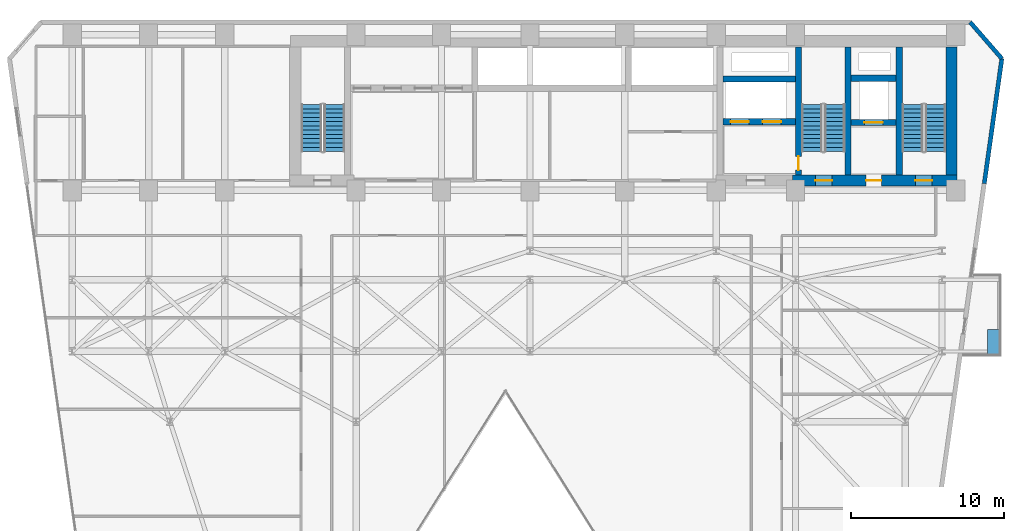
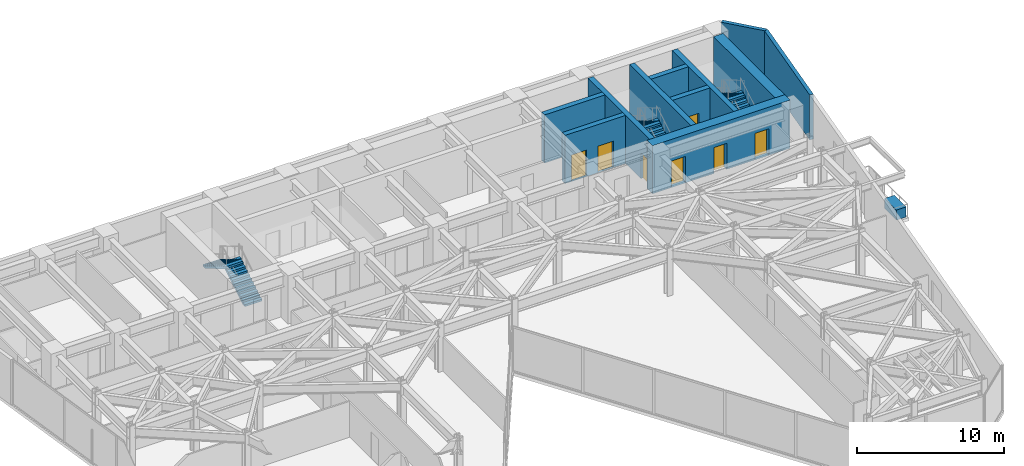
# One storey, part 21 of 24: 11 walls, 7 doors, 6 stair flights, 1 discrete accessory, 7 openings, 3 elements without a shape of their own.
"""IFC4 building model written with IfcOpenShell, lengths in metres."""

from ifc_helpers import new_model, si_unit, direction, frame, frame_2d, origin, origin_2d, place, context, subcontext, project, spatial, polyline, rectangle, outline, extrude, material, layer, layer_set, type_object, element, fill, aggregate, save


model = new_model("IFC4")

# Units and contexts
model_context = context("Model", 3, precision=1e-05, world=origin(), true_north=direction((0.0, 1.0)))
body_context = subcontext(model_context, "Body", "Model", "MODEL_VIEW")
ifc_project = project(units=[si_unit("LENGTHUNIT", "METRE"), si_unit("AREAUNIT", "SQUARE_METRE"), si_unit("VOLUMEUNIT", "CUBIC_METRE"), si_unit("PLANEANGLEUNIT", "RADIAN"), si_unit("MASSUNIT", "GRAM", prefix="KILO")], contexts=[model_context])

# Site, building, storey
site_placement = place(None, origin())
site = spatial("IfcSite", under=ifc_project, at=site_placement, CompositionType="ELEMENT")
building_placement = place(site_placement, origin())
building = spatial("IfcBuilding", under=site, at=building_placement, Name="Kravanh Interchange Tower", CompositionType="ELEMENT")
storey_placement = place(building_placement, frame((0.0, 0.0, 61.5)))
storey = spatial("IfcBuildingStorey", under=building, at=storey_placement, Name="L14", CompositionType="ELEMENT", Elevation=61.5)

# Walls
ifc_material_1 = material(Name="Concrete C80/95", Category="concrete")
ifc_layer_1 = layer(ifc_material_1, 0.39990234375)
ifc_layer_set_1 = layer_set([ifc_layer_1], Name="Core Shear Wall Concrete C80/95 400mm")
wall_type_1 = type_object("IfcWallType", Name="Core Shear Wall Concrete C80/95 400mm", PredefinedType="SHEAR", material=ifc_layer_set_1)
for number, where, z_axis, x_axis, name in (
    (1, (62.800048828125, 38.375, 0.0), (0.0, 0.0, 1.0), (0.0, 1.0, 0.0), "L14 Stair ST1 West Shear Wall"),
    (2, (59.449951171875, 38.375, 0.0), (0.0, 0.0, 1.0), (0.0, 1.0, 0.0), "L14 Stair ST2 East Shear Wall"),
):
    element("IfcWall", number, at=place(storey_placement, frame(where, z_axis=z_axis, x_axis=x_axis)), inside=storey, type_object=wall_type_1, Name=name, PredefinedType="SHEAR", context=body_context, shape_type="SweptSolid", body=[
        extrude(rectangle(XDim=8.375, YDim=0.39990234375, at=frame_2d((4.1875, 0.0))), origin(), (0.0, 0.0, 1.0), 4.0),
    ])

# Wall, opening, door
wall_1_placement = place(storey_placement, frame((56.199951171875, 38.375, 0.0), z_axis=(0.0, 0.0, 1.0), x_axis=(0.0, 1.0, 0.0)))
wall_1 = element("IfcWall", 3, at=wall_1_placement, inside=storey, type_object=wall_type_1, Name="L14 Stair ST2 West Shear Wall", PredefinedType="SHEAR", context=body_context, shape_type="SweptSolid", body=[
    extrude(rectangle(XDim=8.375, YDim=0.39990234375, at=frame_2d((4.1875, 0.0))), origin(), (0.0, 0.0, 1.0), 4.0),
])
opening_1_placement = place(wall_1_placement, frame((0.304931640625, 0.0, 0.0)))
opening_1 = element("IfcOpeningElement", 4, at=opening_1_placement, cuts=wall_1, Name="Opening D-STAIR-90", PredefinedType="OPENING", context=body_context, shape_type="SweptSolid", body=[
    extrude(rectangle(XDim=0.89990234375, YDim=2.14990234375, at=frame_2d((0.449951171875, 1.074951171875))), frame((0.0, 0.2099609375, 0.0), z_axis=(0.0, -1.0, 0.0), x_axis=(1.0, 0.0, 0.0)), (0.0, 0.0, 1.0), 0.419921875),
])
ifc_material_2 = material(Name="Structural Steel S355", Category="steel")
door_type_1 = type_object("IfcDoorType", Name="Fire-Rated Stair Lobby Door 900x2150", OperationType="NOTDEFINED", PredefinedType="DOOR", material=ifc_material_2)
door_1_placement = place(opening_1_placement, origin())
door_1 = element("IfcDoor", 5, at=door_1_placement, inside=storey, type_object=door_type_1, Name="L14 Firefighting Lobby to Stair ST2 Door", OperationType="SINGLE_SWING_LEFT", OverallHeight=2.14990234375, OverallWidth=0.89990234375, PredefinedType="DOOR", context=body_context, shape_type="SweptSolid", body=[
    extrude(rectangle(XDim=0.89990234375, YDim=2.14990234375, at=frame_2d((0.449951171875, 1.074951171875))), frame((0.0, 0.02490234375, 0.0), z_axis=(0.0, -1.0, 0.0), x_axis=(1.0, 0.0, 0.0)), (0.0, 0.0, 1.0), 0.050048828125),
])
fill(opening_1, door_1)

wall_2_placement = place(storey_placement, frame((59.64990234375, 41.800048828125, 0.0), z_axis=(0.0, 0.0, 1.0), x_axis=(1.0, 0.0, 0.0)))
wall_2 = element("IfcWall", 6, at=wall_2_placement, inside=storey, type_object=wall_type_1, Name="L14 Service Lift Shaft South Wall", PredefinedType="SHEAR", context=body_context, shape_type="SweptSolid", body=[
    extrude(rectangle(XDim=2.9501953125, YDim=0.39990234375, at=frame_2d((1.47509765625, 0.0))), origin(), (0.0, 0.0, 1.0), 4.0),
])
opening_2_placement = place(wall_2_placement, frame((0.8701171875, 0.0, 0.0)))
opening_2 = element("IfcOpeningElement", 7, at=opening_2_placement, cuts=wall_2, Name="Opening LD02", PredefinedType="OPENING", context=body_context, shape_type="SweptSolid", body=[
    extrude(rectangle(XDim=1.199951171875, YDim=2.199951171875, at=frame_2d((0.60009765625, 1.10009765625))), frame((0.0, 0.2099609375, 0.0), z_axis=(0.0, -1.0, 0.0), x_axis=(1.0, 0.0, 0.0)), (0.0, 0.0, 1.0), 0.419921875),
])
ifc_material_3 = material(Name="Stainless Steel 316", Category="steel")
door_type_2 = type_object("IfcDoorType", Name="Fire and Service Lift Sliding Landing Door 1200x2200", OperationType="DOUBLE_DOOR_SLIDING", PredefinedType="DOOR", material=ifc_material_3)
door_2_placement = place(opening_2_placement, origin())
door_2 = element("IfcDoor", 8, at=door_2_placement, inside=storey, type_object=door_type_2, Name="L14 Lift LS-01 Landing Door", OperationType="DOUBLE_DOOR_SLIDING", OverallHeight=2.199951171875, OverallWidth=1.199951171875, PredefinedType="DOOR", context=body_context, shape_type="SweptSolid", body=[
    extrude(rectangle(XDim=1.199951171875, YDim=2.199951171875, at=frame_2d((0.60009765625, 1.10009765625))), frame((0.0, 0.02490234375, 0.0), z_axis=(0.0, -1.0, 0.0), x_axis=(1.0, 0.0, 0.0)), (0.0, 0.0, 1.0), 0.050048828125),
])
fill(opening_2, door_2)

# Wall
wall_3_placement = place(storey_placement, frame((59.64990234375, 44.699951171875, 0.0), z_axis=(0.0, 0.0, 1.0), x_axis=(1.0, 0.0, 0.0)))
element("IfcWall", 9, at=wall_3_placement, inside=storey, type_object=wall_type_1, Name="L14 Service Lift Shaft North Wall", PredefinedType="SHEAR", context=body_context, shape_type="SweptSolid", body=[
    extrude(rectangle(XDim=2.9501953125, YDim=0.39990234375, at=frame_2d((1.47509765625, 0.0))), origin(), (0.0, 0.0, 1.0), 4.0),
])

# Wall, openings, doors
wall_4_placement = place(storey_placement, frame((51.25, 41.85009765625, 0.0), z_axis=(0.0, 0.0, 1.0), x_axis=(1.0, 0.0, 0.0)))
wall_4 = element("IfcWall", 10, at=wall_4_placement, inside=storey, type_object=wall_type_1, Name="L14 Fire Lift Shaft South Wall", PredefinedType="SHEAR", context=body_context, shape_type="SweptSolid", body=[
    extrude(rectangle(XDim=4.75, YDim=0.39990234375, at=frame_2d((2.375, 0.0))), origin(), (0.0, 0.0, 1.0), 4.0),
])
opening_3_placement = place(wall_4_placement, frame((0.5, 0.0, 0.0)))
opening_3 = element("IfcOpeningElement", 11, at=opening_3_placement, cuts=wall_4, Name="Opening LD02", PredefinedType="OPENING", context=body_context, shape_type="SweptSolid", body=[
    extrude(rectangle(XDim=1.199951171875, YDim=2.199951171875, at=frame_2d((0.60009765625, 1.10009765625))), frame((0.0, 0.2099609375, 0.0), z_axis=(0.0, -1.0, 0.0), x_axis=(1.0, 0.0, 0.0)), (0.0, 0.0, 1.0), 0.419921875),
])
opening_4_placement = place(wall_4_placement, frame((2.60009765625, 0.0, 0.0)))
opening_4 = element("IfcOpeningElement", 12, at=opening_4_placement, cuts=wall_4, Name="Opening LD02", PredefinedType="OPENING", context=body_context, shape_type="SweptSolid", body=[
    extrude(rectangle(XDim=1.199951171875, YDim=2.199951171875, at=frame_2d((0.60009765625, 1.10009765625))), frame((0.0, 0.2099609375, 0.0), z_axis=(0.0, -1.0, 0.0), x_axis=(1.0, 0.0, 0.0)), (0.0, 0.0, 1.0), 0.419921875),
])
door_3_placement = place(opening_3_placement, origin())
door_3 = element("IfcDoor", 13, at=door_3_placement, inside=storey, type_object=door_type_2, Name="L14 Lift FSAE-01 Landing Door", OperationType="DOUBLE_DOOR_SLIDING", OverallHeight=2.199951171875, OverallWidth=1.199951171875, PredefinedType="DOOR", context=body_context, shape_type="SweptSolid", body=[
    extrude(rectangle(XDim=1.199951171875, YDim=2.199951171875, at=frame_2d((0.60009765625, 1.10009765625))), frame((0.0, 0.02490234375, 0.0), z_axis=(0.0, -1.0, 0.0), x_axis=(1.0, 0.0, 0.0)), (0.0, 0.0, 1.0), 0.050048828125),
])
fill(opening_3, door_3)
door_4_placement = place(opening_4_placement, origin())
door_4 = element("IfcDoor", 14, at=door_4_placement, inside=storey, type_object=door_type_2, Name="L14 Lift FSAE-02 Landing Door", OperationType="DOUBLE_DOOR_SLIDING", OverallHeight=2.199951171875, OverallWidth=1.199951171875, PredefinedType="DOOR", context=body_context, shape_type="SweptSolid", body=[
    extrude(rectangle(XDim=1.199951171875, YDim=2.199951171875, at=frame_2d((0.60009765625, 1.10009765625))), frame((0.0, 0.02490234375, 0.0), z_axis=(0.0, -1.0, 0.0), x_axis=(1.0, 0.0, 0.0)), (0.0, 0.0, 1.0), 0.050048828125),
])
fill(opening_4, door_4)

# Wall
wall_5_placement = place(storey_placement, frame((51.25, 44.64990234375, 0.0), z_axis=(0.0, 0.0, 1.0), x_axis=(1.0, 0.0, 0.0)))
element("IfcWall", 15, at=wall_5_placement, inside=storey, type_object=wall_type_1, Name="L14 Fire Lift Shaft North Wall", PredefinedType="SHEAR", context=body_context, shape_type="SweptSolid", body=[
    extrude(rectangle(XDim=4.75, YDim=0.39990234375, at=frame_2d((2.375, 0.0))), origin(), (0.0, 0.0, 1.0), 4.0),
])

# Wall, openings, doors
ifc_material_4 = material(Name="Concrete C80/95", Category="concrete")
ifc_layer_2 = layer(ifc_material_4, 0.75)
ifc_layer_set_2 = layer_set([ifc_layer_2], Name="Core Shear Wall Concrete C80/95 750mm")
wall_type_2 = type_object("IfcWallType", Name="Core Shear Wall Concrete C80/95 750mm", PredefinedType="SHEAR", material=ifc_layer_set_2)
wall_6_placement = place(storey_placement, frame((55.800048828125, 38.0, 0.0), z_axis=(0.0, 0.0, 1.0), x_axis=(1.0, 0.0, 0.0)))
wall_6 = element("IfcWall", 16, at=wall_6_placement, inside=storey, type_object=wall_type_2, Name="L14 East Core South Shear Wall", PredefinedType="SHEAR", context=body_context, shape_type="SweptSolid", body=[
    extrude(rectangle(XDim=10.800048828125, YDim=0.75, at=frame_2d((5.39990234375, 0.0))), origin(), (0.0, 0.0, 1.0), 4.0),
])
opening_5_placement = place(wall_6_placement, frame((1.5, 0.0, 0.0)))
opening_5 = element("IfcOpeningElement", 17, at=opening_5_placement, cuts=wall_6, Name="Opening D-STAIR-110", PredefinedType="OPENING", context=body_context, shape_type="SweptSolid", body=[
    extrude(rectangle(XDim=1.10009765625, YDim=2.199951171875, at=frame_2d((0.550048828125, 1.10009765625))), frame((0.0, 0.385009765625, 0.0), z_axis=(0.0, -1.0, 0.0), x_axis=(1.0, 0.0, 0.0)), (0.0, 0.0, 1.0), 0.77001953125),
])
opening_6_placement = place(wall_6_placement, frame((4.820068359375, 0.0, 0.0)))
opening_6 = element("IfcOpeningElement", 18, at=opening_6_placement, cuts=wall_6, Name="Opening D-HOTEL-100", PredefinedType="OPENING", context=body_context, shape_type="SweptSolid", body=[
    extrude(rectangle(XDim=1.0, YDim=2.14990234375, at=frame_2d((0.5, 1.074951171875))), frame((0.0, 0.385009765625, 0.0), z_axis=(0.0, -1.0, 0.0), x_axis=(1.0, 0.0, 0.0)), (0.0, 0.0, 1.0), 0.77001953125),
])
opening_7_placement = place(wall_6_placement, frame((8.050048828125, 0.0, 0.0)))
opening_7 = element("IfcOpeningElement", 19, at=opening_7_placement, cuts=wall_6, Name="Opening D-STAIR-110", PredefinedType="OPENING", context=body_context, shape_type="SweptSolid", body=[
    extrude(rectangle(XDim=1.10009765625, YDim=2.199951171875, at=frame_2d((0.550048828125, 1.10009765625))), frame((0.0, 0.385009765625, 0.0), z_axis=(0.0, -1.0, 0.0), x_axis=(1.0, 0.0, 0.0)), (0.0, 0.0, 1.0), 0.77001953125),
])
ifc_material_5 = material(Name="Structural Steel S355", Category="steel")
door_type_3 = type_object("IfcDoorType", Name="Fire-Rated Exit Stair Door 1100x2200", OperationType="NOTDEFINED", PredefinedType="DOOR", material=ifc_material_5)
door_5_placement = place(opening_5_placement, origin())
door_5 = element("IfcDoor", 20, at=door_5_placement, inside=storey, type_object=door_type_3, Name="L14 Exit Stair ST2 Door", OperationType="SINGLE_SWING_RIGHT", OverallHeight=2.199951171875, OverallWidth=1.10009765625, PredefinedType="DOOR", context=body_context, shape_type="SweptSolid", body=[
    extrude(rectangle(XDim=1.10009765625, YDim=2.199951171875, at=frame_2d((0.550048828125, 1.10009765625))), frame((0.0, 0.02490234375, 0.0), z_axis=(0.0, -1.0, 0.0), x_axis=(1.0, 0.0, 0.0)), (0.0, 0.0, 1.0), 0.050048828125),
])
fill(opening_5, door_5)
door_6_placement = place(opening_7_placement, origin())
door_6 = element("IfcDoor", 21, at=door_6_placement, inside=storey, type_object=door_type_3, Name="L14 Exit Stair ST1 Door", OperationType="SINGLE_SWING_RIGHT", OverallHeight=2.199951171875, OverallWidth=1.10009765625, PredefinedType="DOOR", context=body_context, shape_type="SweptSolid", body=[
    extrude(rectangle(XDim=1.10009765625, YDim=2.199951171875, at=frame_2d((0.550048828125, 1.10009765625))), frame((0.0, 0.02490234375, 0.0), z_axis=(0.0, -1.0, 0.0), x_axis=(1.0, 0.0, 0.0)), (0.0, 0.0, 1.0), 0.050048828125),
])
fill(opening_7, door_6)
ifc_material_6 = material(Name="Fire-Rated Solid Timber Leaf", Category="wood")
door_type_4 = type_object("IfcDoorType", Name="Fire-Rated Suite Entrance Door 1000x2150", OperationType="NOTDEFINED", PredefinedType="DOOR", material=ifc_material_6)
door_7_placement = place(opening_6_placement, origin())
door_7 = element("IfcDoor", 22, at=door_7_placement, inside=storey, type_object=door_type_4, Name="L14 Service Lift Lobby Door", OperationType="SINGLE_SWING_RIGHT", OverallHeight=2.14990234375, OverallWidth=1.0, PredefinedType="DOOR", context=body_context, shape_type="SweptSolid", body=[
    extrude(rectangle(XDim=1.0, YDim=2.14990234375, at=frame_2d((0.5, 1.074951171875))), frame((0.0, 0.02490234375, 0.0), z_axis=(0.0, -1.0, 0.0), x_axis=(1.0, 0.0, 0.0)), (0.0, 0.0, 1.0), 0.050048828125),
])
fill(opening_6, door_7)

# Walls
wall_7_placement = place(storey_placement, frame((66.22509765625, 38.375, 0.0), z_axis=(0.0, 0.0, 1.0), x_axis=(0.0, 1.0, 0.0)))
element("IfcWall", 23, at=wall_7_placement, inside=storey, type_object=wall_type_2, Name="L14 Stair ST1 East Shear Wall", PredefinedType="SHEAR", context=body_context, shape_type="SweptSolid", body=[
    extrude(rectangle(XDim=8.375, YDim=0.75, at=frame_2d((4.1875, 0.0))), origin(), (0.0, 0.0, 1.0), 4.0),
])
ifc_material_7 = material(Name="Insulated Precast Concrete C40/50 with Bronze Cladding", Category="concrete")
ifc_layer_3 = layer(ifc_material_7, 0.280029296875)
ifc_layer_set_3 = layer_set([ifc_layer_3], Name="Exterior Insulated Concrete C40/50 Bronze Spandrel Wall 280mm")
wall_type_3 = type_object("IfcWallType", Name="Exterior Insulated Concrete C40/50 Bronze Spandrel Wall 280mm", PredefinedType="STANDARD", material=ifc_layer_set_3)
wall_8_placement = place(storey_placement, frame((67.4453125, 48.3798828125, 0.0), z_axis=(0.0, 0.0, 1.0), x_axis=(0.656070053895, -0.754699996278, 0.0)))
element("IfcWall", 24, at=wall_8_placement, inside=storey, type_object=wall_type_3, Name="L14 Exterior Wall 4", PredefinedType="STANDARD", context=body_context, shape_type="SweptSolid", body=[
    extrude(rectangle(XDim=3.1708984375, YDim=0.280029296875, at=frame_2d((1.58544921875, 0.0))), origin(), (0.0, 0.0, 1.0), 3.739990234375),
])
wall_9_placement = place(storey_placement, frame((69.525634765625, 45.98681640625, 0.0), z_axis=(0.0, 0.0, 1.0), x_axis=(-0.139180172484, -0.990267074878, 0.0)))
element("IfcWall", 25, at=wall_9_placement, inside=storey, type_object=wall_type_3, Name="L14 Exterior Wall 5", PredefinedType="STANDARD", context=body_context, shape_type="SweptSolid", body=[
    extrude(rectangle(XDim=8.267333984375, YDim=0.280029296875, at=frame_2d((4.1337890625, 0.0))), origin(), (0.0, 0.0, 1.0), 3.739990234375),
])

# Stair, stair flights
ifc_material_8 = material(Name="Concrete C50/60", Category="concrete")
stair_type = type_object("IfcStairType", Name="Core Fire Exit Dogleg Stair Concrete C50/60", PredefinedType="HALF_TURN_STAIR", material=ifc_material_8)
stair_1_placement = place(storey_placement, origin())
stair_1 = element("IfcStair", 26, at=stair_1_placement, inside=storey, type_object=stair_type, Name="L14 Exit Stair ST1", PredefinedType="HALF_TURN_STAIR")
ifc_material_9 = material(Name="Precast Concrete C50/60", Category="concrete")
ifc_layer_4 = layer(ifc_material_9, 0.199951171875)
ifc_layer_set_4 = layer_set([ifc_layer_4], Name="Precast Concrete C50/60 Stair Flight 1350mm")
stair_flight_type = type_object("IfcStairFlightType", Name="Precast Concrete C50/60 Stair Flight 1350mm", PredefinedType="STRAIGHT", material=ifc_layer_set_4)
stair_flight_1_placement = place(storey_placement, frame((65.175048828125, 39.89990234375, 0.0), z_axis=(0.0, 0.0, 1.0), x_axis=(0.0, 1.0, 0.0)))
stair_flight_1 = element("IfcStairFlight", 27, at=stair_flight_1_placement, type_object=stair_flight_type, Name="ST1 flight 1", NumberOfRisers=12, NumberOfTreads=11, PredefinedType="STRAIGHT", RiserHeight=0.166666667, TreadLength=0.28, context=body_context, shape_type="SweptSolid", body=[
    extrude(outline(polyline([(0.0, 0.0), (0.0, 0.166748046875), (0.280029296875, 0.166748046875), (0.280029296875, 0.333251953125), (0.56005859375, 0.333251953125), (0.56005859375, 0.5), (0.840087890625, 0.5), (0.840087890625, 0.666748046875), (1.1201171875, 0.666748046875), (1.1201171875, 0.833251953125), (1.39990234375, 0.833251953125), (1.39990234375, 1.0), (1.679931640625, 1.0), (1.679931640625, 1.166748046875), (1.9599609375, 1.166748046875), (1.9599609375, 1.333251953125), (2.239990234375, 1.333251953125), (2.239990234375, 1.5), (2.52001953125, 1.5), (2.52001953125, 1.666748046875), (2.800048828125, 1.666748046875), (2.800048828125, 1.833251953125), (3.080078125, 1.833251953125), (3.080078125, 2.0), (3.080078125, 1.658935546875), (0.29296875, 0.0), (0.0, 0.0)])), frame((0.0, 0.675048828125, 0.0), z_axis=(0.0, -1.0, 0.0), x_axis=(1.0, 0.0, 0.0)), (0.0, 0.0, 1.0), 1.35009765625),
])
stair_flight_2_placement = place(storey_placement, frame((63.675048828125, 42.97998046875, 2.0), z_axis=(0.0, 0.0, 1.0), x_axis=(0.0, -1.0, 0.0)))
stair_flight_2 = element("IfcStairFlight", 28, at=stair_flight_2_placement, type_object=stair_flight_type, Name="ST1 flight 2", NumberOfRisers=12, NumberOfTreads=11, PredefinedType="STRAIGHT", RiserHeight=0.166666667, TreadLength=0.28, context=body_context, shape_type="SweptSolid", body=[
    extrude(outline(polyline([(0.0, 0.0), (0.0, 0.166748046875), (0.280029296875, 0.166748046875), (0.280029296875, 0.333251953125), (0.56005859375, 0.333251953125), (0.56005859375, 0.5), (0.840087890625, 0.5), (0.840087890625, 0.666748046875), (1.1201171875, 0.666748046875), (1.1201171875, 0.833251953125), (1.39990234375, 0.833251953125), (1.39990234375, 1.0), (1.679931640625, 1.0), (1.679931640625, 1.166748046875), (1.9599609375, 1.166748046875), (1.9599609375, 1.333251953125), (2.239990234375, 1.333251953125), (2.239990234375, 1.5), (2.52001953125, 1.5), (2.52001953125, 1.666748046875), (2.800048828125, 1.666748046875), (2.800048828125, 1.833251953125), (3.080078125, 1.833251953125), (3.080078125, 2.0), (3.080078125, 1.658935546875), (0.29296875, 0.0), (0.0, 0.0)])), frame((0.0, 0.675048828125, 0.0), z_axis=(0.0, -1.0, 0.0), x_axis=(1.0, 0.0, 0.0)), (0.0, 0.0, 1.0), 1.35009765625),
])
aggregate(stair_1, [stair_flight_1, stair_flight_2])

stair_2_placement = place(storey_placement, origin())
stair_2 = element("IfcStair", 29, at=stair_2_placement, inside=storey, type_object=stair_type, Name="L14 Exit Stair ST2", PredefinedType="HALF_TURN_STAIR")
stair_flight_3_placement = place(storey_placement, frame((58.574951171875, 39.89990234375, 0.0), z_axis=(0.0, 0.0, 1.0), x_axis=(0.0, 1.0, 0.0)))
stair_flight_3 = element("IfcStairFlight", 30, at=stair_flight_3_placement, type_object=stair_flight_type, Name="ST2 flight 1", NumberOfRisers=12, NumberOfTreads=11, PredefinedType="STRAIGHT", RiserHeight=0.166666667, TreadLength=0.28, context=body_context, shape_type="SweptSolid", body=[
    extrude(outline(polyline([(0.0, 0.0), (0.0, 0.166748046875), (0.280029296875, 0.166748046875), (0.280029296875, 0.333251953125), (0.56005859375, 0.333251953125), (0.56005859375, 0.5), (0.840087890625, 0.5), (0.840087890625, 0.666748046875), (1.1201171875, 0.666748046875), (1.1201171875, 0.833251953125), (1.39990234375, 0.833251953125), (1.39990234375, 1.0), (1.679931640625, 1.0), (1.679931640625, 1.166748046875), (1.9599609375, 1.166748046875), (1.9599609375, 1.333251953125), (2.239990234375, 1.333251953125), (2.239990234375, 1.5), (2.52001953125, 1.5), (2.52001953125, 1.666748046875), (2.800048828125, 1.666748046875), (2.800048828125, 1.833251953125), (3.080078125, 1.833251953125), (3.080078125, 2.0), (3.080078125, 1.658935546875), (0.29296875, 0.0), (0.0, 0.0)])), frame((0.0, 0.675048828125, 0.0), z_axis=(0.0, -1.0, 0.0), x_axis=(1.0, 0.0, 0.0)), (0.0, 0.0, 1.0), 1.35009765625),
])
stair_flight_4_placement = place(storey_placement, frame((57.074951171875, 42.97998046875, 2.0), z_axis=(0.0, 0.0, 1.0), x_axis=(0.0, -1.0, 0.0)))
stair_flight_4 = element("IfcStairFlight", 31, at=stair_flight_4_placement, type_object=stair_flight_type, Name="ST2 flight 2", NumberOfRisers=12, NumberOfTreads=11, PredefinedType="STRAIGHT", RiserHeight=0.166666667, TreadLength=0.28, context=body_context, shape_type="SweptSolid", body=[
    extrude(outline(polyline([(0.0, 0.0), (0.0, 0.166748046875), (0.280029296875, 0.166748046875), (0.280029296875, 0.333251953125), (0.56005859375, 0.333251953125), (0.56005859375, 0.5), (0.840087890625, 0.5), (0.840087890625, 0.666748046875), (1.1201171875, 0.666748046875), (1.1201171875, 0.833251953125), (1.39990234375, 0.833251953125), (1.39990234375, 1.0), (1.679931640625, 1.0), (1.679931640625, 1.166748046875), (1.9599609375, 1.166748046875), (1.9599609375, 1.333251953125), (2.239990234375, 1.333251953125), (2.239990234375, 1.5), (2.52001953125, 1.5), (2.52001953125, 1.666748046875), (2.800048828125, 1.666748046875), (2.800048828125, 1.833251953125), (3.080078125, 1.833251953125), (3.080078125, 2.0), (3.080078125, 1.658935546875), (0.29296875, 0.0), (0.0, 0.0)])), frame((0.0, 0.675048828125, 0.0), z_axis=(0.0, -1.0, 0.0), x_axis=(1.0, 0.0, 0.0)), (0.0, 0.0, 1.0), 1.35009765625),
])
aggregate(stair_2, [stair_flight_3, stair_flight_4])

stair_3_placement = place(storey_placement, origin())
stair_3 = element("IfcStair", 32, at=stair_3_placement, inside=storey, type_object=stair_type, Name="L14 Exit Stair ST3", PredefinedType="HALF_TURN_STAIR")
stair_flight_5_placement = place(storey_placement, frame((25.77490234375, 39.89990234375, 0.0), z_axis=(0.0, 0.0, 1.0), x_axis=(0.0, 1.0, 0.0)))
stair_flight_5 = element("IfcStairFlight", 33, at=stair_flight_5_placement, type_object=stair_flight_type, Name="ST3 flight 1", NumberOfRisers=12, NumberOfTreads=11, PredefinedType="STRAIGHT", RiserHeight=0.166666667, TreadLength=0.28, context=body_context, shape_type="SweptSolid", body=[
    extrude(outline(polyline([(0.0, 0.0), (0.0, 0.166748046875), (0.280029296875, 0.166748046875), (0.280029296875, 0.333251953125), (0.56005859375, 0.333251953125), (0.56005859375, 0.5), (0.840087890625, 0.5), (0.840087890625, 0.666748046875), (1.1201171875, 0.666748046875), (1.1201171875, 0.833251953125), (1.39990234375, 0.833251953125), (1.39990234375, 1.0), (1.679931640625, 1.0), (1.679931640625, 1.166748046875), (1.9599609375, 1.166748046875), (1.9599609375, 1.333251953125), (2.239990234375, 1.333251953125), (2.239990234375, 1.5), (2.52001953125, 1.5), (2.52001953125, 1.666748046875), (2.800048828125, 1.666748046875), (2.800048828125, 1.833251953125), (3.080078125, 1.833251953125), (3.080078125, 2.0), (3.080078125, 1.658935546875), (0.29296875, 0.0), (0.0, 0.0)])), frame((0.0, 0.675048828125, 0.0), z_axis=(0.0, -1.0, 0.0), x_axis=(1.0, 0.0, 0.0)), (0.0, 0.0, 1.0), 1.35009765625),
])
stair_flight_6_placement = place(storey_placement, frame((24.27490234375, 42.97998046875, 2.0), z_axis=(0.0, 0.0, 1.0), x_axis=(0.0, -1.0, 0.0)))
stair_flight_6 = element("IfcStairFlight", 34, at=stair_flight_6_placement, type_object=stair_flight_type, Name="ST3 flight 2", NumberOfRisers=12, NumberOfTreads=11, PredefinedType="STRAIGHT", RiserHeight=0.166666667, TreadLength=0.28, context=body_context, shape_type="SweptSolid", body=[
    extrude(outline(polyline([(0.0, 0.0), (0.0, 0.166748046875), (0.280029296875, 0.166748046875), (0.280029296875, 0.333251953125), (0.56005859375, 0.333251953125), (0.56005859375, 0.5), (0.840087890625, 0.5), (0.840087890625, 0.666748046875), (1.1201171875, 0.666748046875), (1.1201171875, 0.833251953125), (1.39990234375, 0.833251953125), (1.39990234375, 1.0), (1.679931640625, 1.0), (1.679931640625, 1.166748046875), (1.9599609375, 1.166748046875), (1.9599609375, 1.333251953125), (2.239990234375, 1.333251953125), (2.239990234375, 1.5), (2.52001953125, 1.5), (2.52001953125, 1.666748046875), (2.800048828125, 1.666748046875), (2.800048828125, 1.833251953125), (3.080078125, 1.833251953125), (3.080078125, 2.0), (3.080078125, 1.658935546875), (0.29296875, 0.0), (0.0, 0.0)])), frame((0.0, 0.675048828125, 0.0), z_axis=(0.0, -1.0, 0.0), x_axis=(1.0, 0.0, 0.0)), (0.0, 0.0, 1.0), 1.35009765625),
])
aggregate(stair_3, [stair_flight_5, stair_flight_6])

# Discrete accessory
ifc_material_10 = material(Name="Architectural GRC Concrete C40/50 with Root Barrier", Category="concrete")
discrete_accessory_type = type_object("IfcDiscreteAccessoryType", Name="Structural Balcony Tree Planter Box Concrete C40/50 1600x750x850", PredefinedType="USERDEFINED", material=ifc_material_10)
discrete_accessory_placement = place(storey_placement, frame((68.969970703125, 27.419921875, 0.0), z_axis=(0.0, 0.0, 1.0), x_axis=(1.0, 0.0, 0.0)))
element("IfcDiscreteAccessory", 35, at=discrete_accessory_placement, inside=storey, type_object=discrete_accessory_type, Name="L14 E Balcony TREE PLANTER", ObjectType="PLANTER", PredefinedType="USERDEFINED", context=body_context, shape_type="SweptSolid", body=[
    extrude(rectangle(XDim=0.75, YDim=1.60009765625, at=origin_2d()), origin(), (0.0, 0.0, 1.0), 0.85009765625),
])

save(model, "model.ifc")
